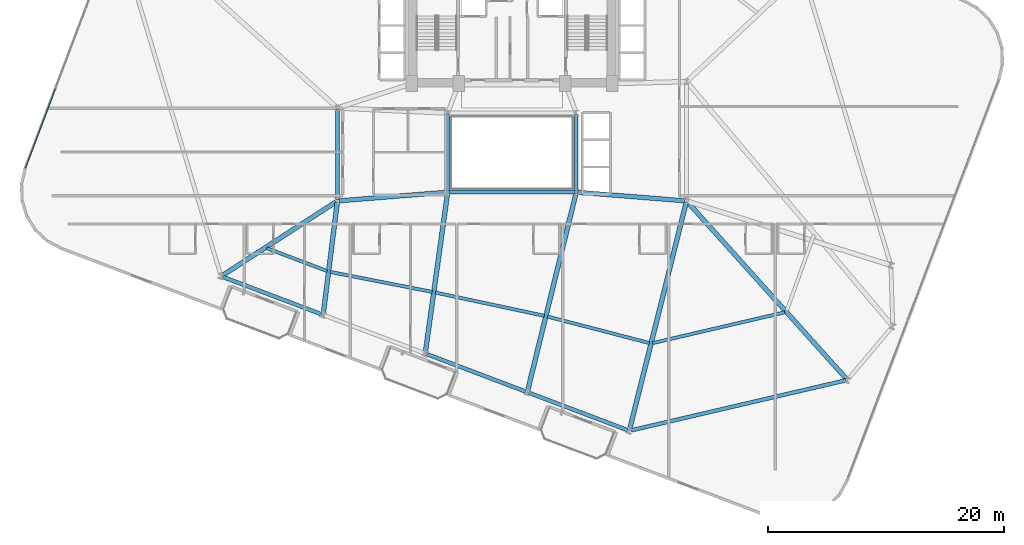
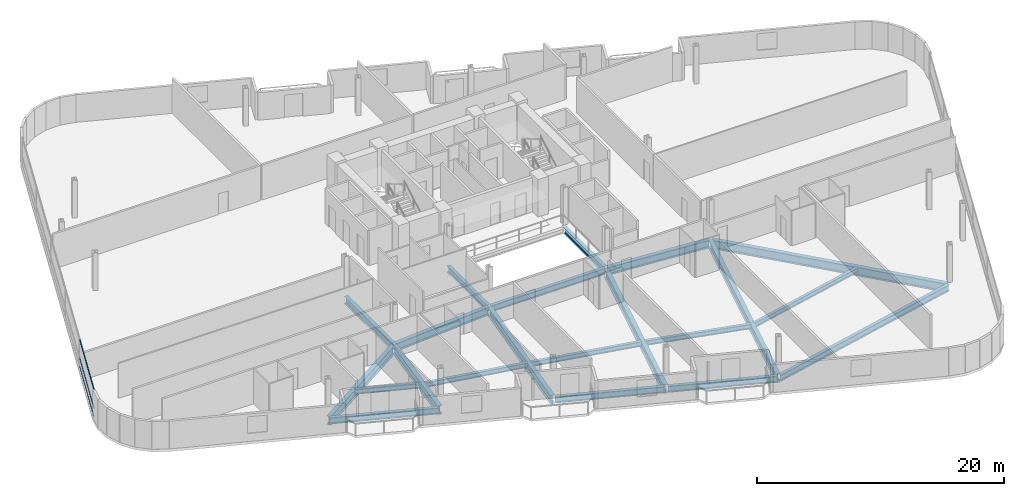
# One storey, part 3 of 25: 21 beams, 3 members, 1 element without a shape of its own.
"""IFC4 building model written with IfcOpenShell, lengths in metres."""

from ifc_helpers import new_model, si_unit, direction, frame, origin, origin_2d, place, context, subcontext, project, spatial, hollow_rectangle, i_section, extrude, material, layer, layer_set, material_profile, profile_set, type_object, element, aggregate, save


model = new_model("IFC4")

# Units and contexts
model_context = context("Model", 3, precision=1e-05, world=origin(), true_north=direction((0.0, 1.0)))
body_context = subcontext(model_context, "Body", "Model", "MODEL_VIEW")
ifc_project = project(units=[si_unit("LENGTHUNIT", "METRE"), si_unit("AREAUNIT", "SQUARE_METRE"), si_unit("VOLUMEUNIT", "CUBIC_METRE"), si_unit("PLANEANGLEUNIT", "RADIAN"), si_unit("MASSUNIT", "GRAM", prefix="KILO")], contexts=[model_context])

# Site, building, storey
site_placement = place(None, origin())
site = spatial("IfcSite", under=ifc_project, at=site_placement, CompositionType="ELEMENT")
building_placement = place(site_placement, origin())
building = spatial("IfcBuilding", under=site, at=building_placement, Name="Varnelok Gate Tower", CompositionType="ELEMENT")
storey_placement = place(building_placement, frame((0.0, 0.0, 79.89990234375)))
storey = spatial("IfcBuildingStorey", under=building, at=storey_placement, Name="L19", CompositionType="ELEMENT", Elevation=79.89990234375)

# Beams
ifc_material_1 = material(Name="Structural Steel ASTM A992 Grade 50", Category="steel")
ifc_material_profile_1 = material_profile(ifc_material_1, i_section(OverallWidth=0.280029296875, OverallDepth=0.462890625, WebThickness=0.0107421875, FlangeThickness=0.017333984375, FilletRadius=0.014892578125, at=origin_2d()), Name="W18X76")
ifc_profile_set_1 = profile_set([ifc_material_profile_1], Name="Structural Steel ASTM A992 Grade 50")
beam_type_1 = type_object("IfcBeamType", Name="BM-JST-W18X76", PredefinedType="JOIST", material=ifc_profile_set_1)
beam_1_placement = place(storey_placement, frame((18.41845703125, 14.79248046875, -0.4814453125), z_axis=(0.935220980755, -0.354064566365, 0.0), x_axis=(0.354064566365, 0.935220980755, 0.0)))
element("IfcBeam", 1, at=beam_1_placement, inside=storey, type_object=beam_type_1, Name="L19 Sector Floor Joist 1", PredefinedType="JOIST", context=body_context, shape_type="SweptSolid", body=[
    extrude(i_section(OverallWidth=0.280029296875, OverallDepth=0.462890625, WebThickness=0.0107421875, FlangeThickness=0.017333984375, FilletRadius=0.014892578125, at=origin_2d()), origin(), (0.0, 0.0, 1.0), 5.454833984375),
])
beam_2_placement = place(storey_placement, frame((23.788330078125, 12.78466796875, -0.4814453125), z_axis=(0.981373341714, -0.192110291692, 0.0), x_axis=(0.192110291692, 0.981373341714, 0.0)))
element("IfcBeam", 2, at=beam_2_placement, inside=storey, type_object=beam_type_1, Name="L19 Sector Floor Joist 2", PredefinedType="JOIST", context=body_context, shape_type="SweptSolid", body=[
    extrude(i_section(OverallWidth=0.280029296875, OverallDepth=0.462890625, WebThickness=0.0107421875, FlangeThickness=0.017333984375, FilletRadius=0.014892578125, at=origin_2d()), origin(), (0.0, 0.0, 1.0), 8.8056640625),
])
beam_3_placement = place(storey_placement, frame((32.704345703125, 11.03662109375, -0.4814453125), z_axis=(0.977938835905, -0.20889143886, 0.0), x_axis=(0.20889143886, 0.977938835905, 0.0)))
element("IfcBeam", 3, at=beam_3_placement, inside=storey, type_object=beam_type_1, Name="L19 Sector Floor Joist 3", PredefinedType="JOIST", context=body_context, shape_type="SweptSolid", body=[
    extrude(i_section(OverallWidth=0.280029296875, OverallDepth=0.462890625, WebThickness=0.0107421875, FlangeThickness=0.017333984375, FilletRadius=0.014892578125, at=origin_2d()), origin(), (0.0, 0.0, 1.0), 9.43994140625),
])
beam_4_placement = place(storey_placement, frame((42.20849609375, 9.000244140625, -0.4814453125), z_axis=(0.967889835008, -0.251374754675, 0.0), x_axis=(0.251374754675, 0.967889835008, 0.0)))
element("IfcBeam", 4, at=beam_4_placement, inside=storey, type_object=beam_type_1, Name="L19 Sector Floor Joist 4", PredefinedType="JOIST", context=body_context, shape_type="SweptSolid", body=[
    extrude(i_section(OverallWidth=0.280029296875, OverallDepth=0.462890625, WebThickness=0.0107421875, FlangeThickness=0.017333984375, FilletRadius=0.014892578125, at=origin_2d()), origin(), (0.0, 0.0, 1.0), 8.932373046875),
])
beam_5_placement = place(storey_placement, frame((51.125732421875, 6.751708984375, -0.4814453125), z_axis=(0.973879585233, 0.227065086412, 0.0), x_axis=(-0.227065086412, 0.973879585233, 0.0)))
element("IfcBeam", 5, at=beam_5_placement, inside=storey, type_object=beam_type_1, Name="L19 Sector Floor Joist 5", PredefinedType="JOIST", context=body_context, shape_type="SweptSolid", body=[
    extrude(i_section(OverallWidth=0.280029296875, OverallDepth=0.462890625, WebThickness=0.0107421875, FlangeThickness=0.017333984375, FilletRadius=0.014892578125, at=origin_2d()), origin(), (0.0, 0.0, 1.0), 11.492919921875),
])
ifc_material_profile_2 = material_profile(ifc_material_1, i_section(OverallWidth=0.35498046875, OverallDepth=0.696044921875, WebThickness=0.015380859375, FlangeThickness=0.02490234375, FilletRadius=0.02001953125, at=origin_2d()), Name="W27X146")
ifc_profile_set_2 = profile_set([ifc_material_profile_2], Name="Structural Steel ASTM A992 Grade 50")
beam_type_2 = type_object("IfcBeamType", Name="BM-PRI-W27X146", PredefinedType="BEAM", material=ifc_profile_set_2)
beam_6_placement = place(storey_placement, frame((24.39990234375, 18.919921875, -0.597900390625), z_axis=(0.0, 1.0, 0.0), x_axis=(-1.0, 0.0, 0.0)))
element("IfcBeam", 6, at=beam_6_placement, inside=storey, type_object=beam_type_2, Name="L19 Core-Atrium Spine Beam 16", PredefinedType="BEAM", context=body_context, shape_type="SweptSolid", body=[
    extrude(i_section(OverallWidth=0.35498046875, OverallDepth=0.696044921875, WebThickness=0.015380859375, FlangeThickness=0.02490234375, FilletRadius=0.02001953125, at=origin_2d()), origin(), (0.0, 0.0, 1.0), 7.64013671875),
])
ifc_material_profile_3 = material_profile(ifc_material_1, i_section(OverallWidth=0.381103515625, OverallDepth=0.77294921875, WebThickness=0.0166015625, FlangeThickness=0.027099609375, FilletRadius=0.02197265625, at=origin_2d()), Name="W30X173")
ifc_profile_set_3 = profile_set([ifc_material_profile_3], Name="Structural Steel ASTM A992 Grade 50")
beam_type_3 = type_object("IfcBeamType", Name="BM-PRI-W30X173", PredefinedType="BEAM", material=ifc_profile_set_3)
for number, where, z_axis, x_axis, name in (
    (7, (24.51953125, 18.8095703125, -0.636474609375), (0.996799206292, 0.07994587128, 0.0), (-0.07994587128, 0.996799206292, 0.0), "L19 Core-Atrium Spine Beam 14"),
    (8, (44.76953125, 19.540283203125, -0.636474609375), (0.996799206292, -0.07994587128, 0.0), (0.07994587128, 0.996799206292, 0.0), "L19 Core-Atrium Spine Beam 18"),
):
    element("IfcBeam", number, at=place(storey_placement, frame(where, z_axis=z_axis, x_axis=x_axis)), inside=storey, type_object=beam_type_3, Name=name, PredefinedType="BEAM", context=body_context, shape_type="SweptSolid", body=[
        extrude(i_section(OverallWidth=0.381103515625, OverallDepth=0.77294921875, WebThickness=0.0166015625, FlangeThickness=0.027099609375, FilletRadius=0.02197265625, at=origin_2d()), origin(), (0.0, 0.0, 1.0), 9.14013671875),
    ])
ifc_material_profile_4 = material_profile(ifc_material_1, i_section(OverallWidth=0.39892578125, OverallDepth=0.85498046875, WebThickness=0.018310546875, FlangeThickness=0.029296875, FilletRadius=0.02392578125, at=origin_2d()), Name="W33X201")
ifc_profile_set_4 = profile_set([ifc_material_profile_4], Name="Structural Steel ASTM A992 Grade 50")
beam_type_4 = type_object("IfcBeamType", Name="BM-PRI-W33X201", PredefinedType="BEAM", material=ifc_profile_set_4)
beam_7_placement = place(storey_placement, frame((24.274169921875, 18.718505859375, -0.677490234375), z_axis=(-0.839398998687, -0.543515704468, 0.0), x_axis=(0.543515704468, -0.839398998687, 0.0)))
element("IfcBeam", 9, at=beam_7_placement, inside=storey, type_object=beam_type_4, Name="L19 Radial Floor Girder 1", PredefinedType="BEAM", context=body_context, shape_type="SweptSolid", body=[
    extrude(i_section(OverallWidth=0.39892578125, OverallDepth=0.85498046875, WebThickness=0.018310546875, FlangeThickness=0.029296875, FilletRadius=0.02392578125, at=origin_2d()), origin(), (0.0, 0.0, 1.0), 11.4453125),
])
beam_8_placement = place(storey_placement, frame((24.38134765625, 18.651123046875, -0.677490234375), z_axis=(-0.124114361033, -0.992267920163, 0.0), x_axis=(0.992267920163, -0.124114361033, 0.0)))
element("IfcBeam", 10, at=beam_8_placement, inside=storey, type_object=beam_type_4, Name="L19 Radial Floor Girder 2", PredefinedType="BEAM", context=body_context, shape_type="SweptSolid", body=[
    extrude(i_section(OverallWidth=0.39892578125, OverallDepth=0.85498046875, WebThickness=0.018310546875, FlangeThickness=0.029296875, FilletRadius=0.02392578125, at=origin_2d()), origin(), (0.0, 0.0, 1.0), 9.43408203125),
])
beam_9_placement = place(storey_placement, frame((33.729248046875, 19.4013671875, -0.677490234375), z_axis=(-0.138054699139, -0.990424605937, 0.0), x_axis=(0.990424605937, -0.138054699139, 0.0)))
element("IfcBeam", 11, at=beam_9_placement, inside=storey, type_object=beam_type_4, Name="L19 Radial Floor Girder 3", PredefinedType="BEAM", context=body_context, shape_type="SweptSolid", body=[
    extrude(i_section(OverallWidth=0.39892578125, OverallDepth=0.85498046875, WebThickness=0.018310546875, FlangeThickness=0.029296875, FilletRadius=0.02392578125, at=origin_2d()), origin(), (0.0, 0.0, 1.0), 13.51611328125),
])
beam_10_placement = place(storey_placement, frame((44.6142578125, 19.404296875, -0.677490234375), z_axis=(-0.238054163128, -0.971251880522, 0.0), x_axis=(0.971251880522, -0.238054163128, 0.0)))
element("IfcBeam", 12, at=beam_10_placement, inside=storey, type_object=beam_type_4, Name="L19 Radial Floor Girder 4", PredefinedType="BEAM", context=body_context, shape_type="SweptSolid", body=[
    extrude(i_section(OverallWidth=0.39892578125, OverallDepth=0.85498046875, WebThickness=0.018310546875, FlangeThickness=0.029296875, FilletRadius=0.02392578125, at=origin_2d()), origin(), (0.0, 0.0, 1.0), 17.160888671875),
])
beam_11_placement = place(storey_placement, frame((53.963623046875, 18.654541015625, -0.677490234375), z_axis=(-0.241818229902, -0.970321567156, 0.0), x_axis=(0.970321567156, -0.241818229902, 0.0)))
element("IfcBeam", 13, at=beam_11_placement, inside=storey, type_object=beam_type_4, Name="L19 Radial Floor Girder 5", PredefinedType="BEAM", context=body_context, shape_type="SweptSolid", body=[
    extrude(i_section(OverallWidth=0.39892578125, OverallDepth=0.85498046875, WebThickness=0.018310546875, FlangeThickness=0.029296875, FilletRadius=0.02392578125, at=origin_2d()), origin(), (0.0, 0.0, 1.0), 19.7802734375),
])
beam_12_placement = place(storey_placement, frame((54.100341796875, 18.6884765625, -0.677490234375), z_axis=(0.668462619128, -0.743745740713, 0.0), x_axis=(0.743745740713, 0.668462619128, 0.0)))
element("IfcBeam", 14, at=beam_12_placement, inside=storey, type_object=beam_type_4, Name="L19 Radial Floor Girder 6", PredefinedType="BEAM", context=body_context, shape_type="SweptSolid", body=[
    extrude(i_section(OverallWidth=0.39892578125, OverallDepth=0.85498046875, WebThickness=0.018310546875, FlangeThickness=0.029296875, FilletRadius=0.02392578125, at=origin_2d()), origin(), (0.0, 0.0, 1.0), 20.099853515625),
])
ifc_material_profile_5 = material_profile(ifc_material_1, i_section(OverallWidth=0.323974609375, OverallDepth=0.611083984375, WebThickness=0.0126953125, FlangeThickness=0.01904296875, FilletRadius=0.01806640625, at=origin_2d()), Name="W24X104")
ifc_profile_set_5 = profile_set([ifc_material_profile_5], Name="Structural Steel ASTM A992 Grade 50")
beam_type_5 = type_object("IfcBeamType", Name="BM-SPN-W24X104", PredefinedType="SPANDREL", material=ifc_profile_set_5)
beam_13_placement = place(storey_placement, frame((33.8701171875, 19.550048828125, -0.555419921875), z_axis=(1.0, 0.0, 0.0), x_axis=(0.0, 1.0, 0.0)))
element("IfcBeam", 15, at=beam_13_placement, inside=storey, type_object=beam_type_5, Name="L19 Core-Atrium Spine Beam 8", PredefinedType="SPANDREL", context=body_context, shape_type="SweptSolid", body=[
    extrude(i_section(OverallWidth=0.323974609375, OverallDepth=0.611083984375, WebThickness=0.0126953125, FlangeThickness=0.01904296875, FilletRadius=0.01806640625, at=origin_2d()), origin(), (0.0, 0.0, 1.0), 10.659912109375),
])
for number, where, z_axis, x_axis, name in (
    (16, (33.75, 19.669921875, -0.555419921875), (0.0, 1.0, 0.0), (-1.0, 0.0, 0.0), "L19 Core-Atrium Spine Beam 10"),
    (17, (44.64990234375, 19.669921875, -0.555419921875), (0.0, 1.0, 0.0), (-1.0, 0.0, 0.0), "L19 Core-Atrium Spine Beam 11"),
):
    element("IfcBeam", number, at=place(storey_placement, frame(where, z_axis=z_axis, x_axis=x_axis)), inside=storey, type_object=beam_type_5, Name=name, PredefinedType="SPANDREL", context=body_context, shape_type="SweptSolid", body=[
        extrude(i_section(OverallWidth=0.323974609375, OverallDepth=0.611083984375, WebThickness=0.0126953125, FlangeThickness=0.01904296875, FilletRadius=0.01806640625, at=origin_2d()), origin(), (0.0, 0.0, 1.0), 6.4599609375),
    ])
for number, where, z_axis, x_axis, name in (
    (18, (14.681396484375, 12.363037109375, -0.555419921875), (0.935225969099, -0.354051389947, 0.0), (0.354051389947, 0.935225969099, 0.0), "L19 Perimeter Spandrel Beam 1"),
    (19, (31.98291015625, 5.81298828125, -0.555419921875), (0.935216936382, -0.354075248928, 0.0), (0.354075248928, 0.935216936382, 0.0), "L19 Perimeter Spandrel Beam 3"),
    (20, (40.6337890625, 2.537841796875, -0.555419921875), (0.935216936382, -0.354075248928, 0.0), (0.354075248928, 0.935216936382, 0.0), "L19 Perimeter Spandrel Beam 4"),
):
    element("IfcBeam", number, at=place(storey_placement, frame(where, z_axis=z_axis, x_axis=x_axis)), inside=storey, type_object=beam_type_5, Name=name, PredefinedType="SPANDREL", context=body_context, shape_type="SweptSolid", body=[
        extrude(i_section(OverallWidth=0.323974609375, OverallDepth=0.611083984375, WebThickness=0.0126953125, FlangeThickness=0.01904296875, FilletRadius=0.01806640625, at=origin_2d()), origin(), (0.0, 0.0, 1.0), 8.949951171875),
    ])
beam_14_placement = place(storey_placement, frame((49.290283203125, -0.64990234375, -0.555419921875), z_axis=(0.973880317885, 0.227061944052, 0.0), x_axis=(-0.227061944052, 0.973880317885, 0.0)))
element("IfcBeam", 21, at=beam_14_placement, inside=storey, type_object=beam_type_5, Name="L19 Perimeter Spandrel Beam 5", PredefinedType="SPANDREL", context=body_context, shape_type="SweptSolid", body=[
    extrude(i_section(OverallWidth=0.323974609375, OverallDepth=0.611083984375, WebThickness=0.0126953125, FlangeThickness=0.01904296875, FilletRadius=0.01806640625, at=origin_2d()), origin(), (0.0, 0.0, 1.0), 18.688232421875),
])

# Curtain wall, members
ifc_material_2 = material(Name="Anodized Aluminum Alloy 6063-T6", Category="aluminium")
ifc_layer = layer(ifc_material_2, 0.179931640625)
ifc_layer_set = layer_set([ifc_layer], Name="Anodized Aluminum Alloy 6063-T6")
curtain_wall_type = type_object("IfcCurtainWallType", Name="CW3-HOTEL-VISION", PredefinedType="USERDEFINED", material=ifc_layer_set)
curtain_wall_placement = place(storey_placement, origin())
curtain_wall = element("IfcCurtainWall", 22, at=curtain_wall_placement, inside=storey, type_object=curtain_wall_type, Name="L19 West End Vision Curtain Wall", ObjectType="UNITISED CURTAIN WALL", PredefinedType="USERDEFINED")
ifc_material_profile_6 = material_profile(ifc_material_2, hollow_rectangle(XDim=0.06494140625, YDim=0.159912109375, WallThickness=0.00390625, at=origin_2d()), Name="ALU160X65X4")
ifc_profile_set_6 = profile_set([ifc_material_profile_6], Name="Anodized Aluminum Alloy 6063-T6")
member_type = type_object("IfcMemberType", Name="CW-TRAN-160", PredefinedType="USERDEFINED", material=ifc_profile_set_6)
member_1_placement = place(storey_placement, frame((-2.031982421875, 21.625732421875, 0.03271484375), z_axis=(0.35408846525, 0.935211932546, 0.0), x_axis=(-0.935211932546, 0.35408846525, 0.0)))
member_1 = element("IfcMember", 23, at=member_1_placement, type_object=member_type, Name="CW3 transom 1.1", ObjectType="TRANSOM", PredefinedType="USERDEFINED", context=body_context, shape_type="SweptSolid", body=[
    extrude(hollow_rectangle(XDim=0.06494140625, YDim=0.159912109375, WallThickness=0.00390625, at=origin_2d()), origin(), (0.0, 0.0, 1.0), 7.142333984375),
])
member_2_placement = place(storey_placement, frame((-2.031982421875, 21.625732421875, 0.900146484375), z_axis=(0.35408846525, 0.935211932546, 0.0), x_axis=(-0.935211932546, 0.35408846525, 0.0)))
member_2 = element("IfcMember", 24, at=member_2_placement, type_object=member_type, Name="CW3 transom 1.2", ObjectType="TRANSOM", PredefinedType="USERDEFINED", context=body_context, shape_type="SweptSolid", body=[
    extrude(hollow_rectangle(XDim=0.06494140625, YDim=0.159912109375, WallThickness=0.00390625, at=origin_2d()), origin(), (0.0, 0.0, 1.0), 7.142333984375),
])
member_3_placement = place(storey_placement, frame((-2.031982421875, 21.625732421875, 2.697509765625), z_axis=(0.35408846525, 0.935211932546, 0.0), x_axis=(-0.935211932546, 0.35408846525, 0.0)))
member_3 = element("IfcMember", 25, at=member_3_placement, type_object=member_type, Name="CW3 transom 1.3", ObjectType="TRANSOM", PredefinedType="USERDEFINED", context=body_context, shape_type="SweptSolid", body=[
    extrude(hollow_rectangle(XDim=0.06494140625, YDim=0.159912109375, WallThickness=0.00390625, at=origin_2d()), origin(), (0.0, 0.0, 1.0), 7.142333984375),
])
aggregate(curtain_wall, [member_1, member_2, member_3])

save(model, "model.ifc")
